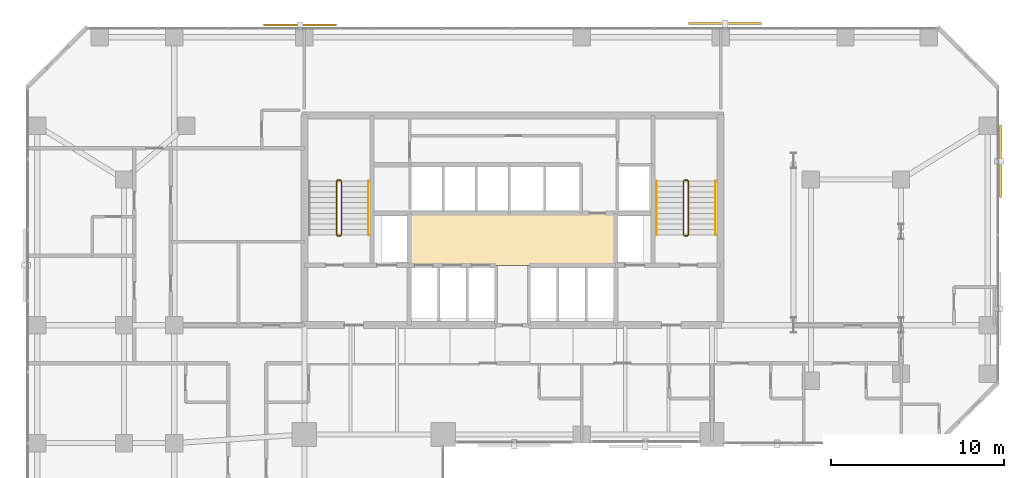
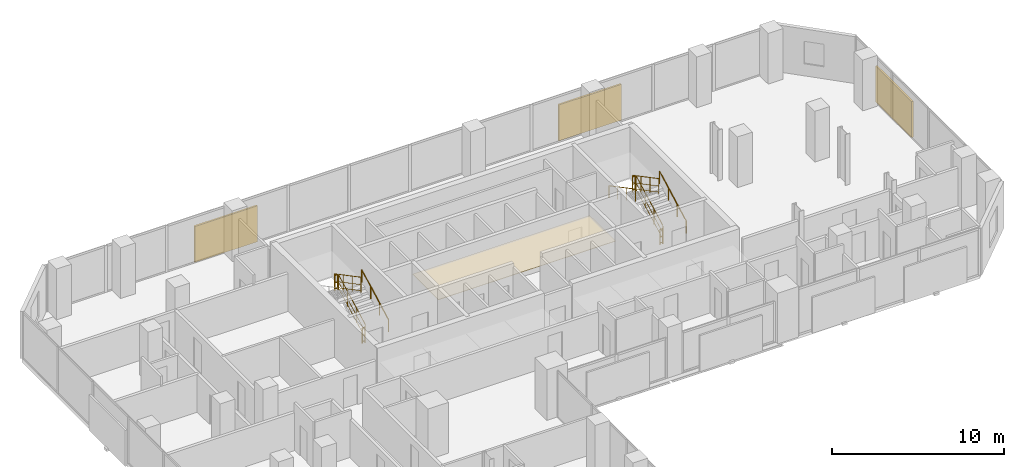
# One storey, part 32 of 32: 11 railings, 3 shading devices, 1 covering.
"""IFC4 building model written with IfcOpenShell, lengths in metres."""

from ifc_helpers import new_model, si_unit, direction, frame, origin, origin_2d, place, context, subcontext, project, spatial, polyline, rectangle, circle, outline, extrude, material, layer, layer_set, type_object, element, save


model = new_model("IFC4")

# Units and contexts
model_context = context("Model", 3, precision=1e-05, world=origin(), true_north=direction((0.0, 1.0)))
body_context = subcontext(model_context, "Body", "Model", "MODEL_VIEW")
ifc_project = project(units=[si_unit("LENGTHUNIT", "METRE"), si_unit("AREAUNIT", "SQUARE_METRE"), si_unit("VOLUMEUNIT", "CUBIC_METRE"), si_unit("PLANEANGLEUNIT", "RADIAN"), si_unit("MASSUNIT", "GRAM", prefix="KILO")], contexts=[model_context])

# Site, building, storey
site_placement = place(None, origin())
site = spatial("IfcSite", under=ifc_project, at=site_placement, CompositionType="ELEMENT")
building_placement = place(site_placement, origin())
building = spatial("IfcBuilding", under=site, at=building_placement, Name="Catumbela Crestline Tower", CompositionType="ELEMENT")
storey_placement = place(building_placement, frame((0.0, 0.0, 33.0)))
storey = spatial("IfcBuildingStorey", under=building, at=storey_placement, Name="L07", CompositionType="ELEMENT", Elevation=33.0)

# Covering
ifc_material_1 = material(Name="Mineral-fibre acoustic ceiling")
ifc_layer = layer(ifc_material_1, 0.03, Name="Mineral-fibre acoustic ceiling")
ifc_layer_set = layer_set([ifc_layer], Name="Mineral-fibre acoustic ceiling")
covering_type = type_object("IfcCoveringType", Name="CC-AC", PredefinedType="CEILING", material=ifc_layer_set)
covering_placement = place(storey_placement, frame((0.0, 0.0, 2.65)))
element("IfcCovering", 1, at=covering_placement, inside=storey, type_object=covering_type, Name="L07 Lift Lobby Acoustic Ceiling", PredefinedType="CEILING", context=body_context, shape_type="SweptSolid", body=[
    extrude(outline(polyline([(22.05, 34.25), (33.95, 34.25), (33.95, 37.25), (22.05, 37.25), (22.05, 34.25)])), origin(), (0.0, 0.0, 1.0), 0.03),
])

# Railings
ifc_material_2 = material(Name="Stainless steel EN 1.4401", Category="steel")
railing_type_1 = type_object("IfcRailingType", Name="RG-1100", PredefinedType="GUARDRAIL", material=ifc_material_2)
railing_1_placement = place(storey_placement, frame((18.14, 36.0, 0.1636)))
element("IfcRailing", 2, at=railing_1_placement, inside=storey, type_object=railing_type_1, Name="L07 ST-01 stair guard 1", PredefinedType="GUARDRAIL", context=body_context, shape_type="SweptSolid", body=[
    extrude(circle(Radius=0.024, at=origin_2d()), frame((0.0, 0.0, 1.076), z_axis=(0.0, 0.884350731049, 0.466823076222), x_axis=(-1.0, 0.0, 0.0)), (0.0, 0.0, 1.0), 3.5054),
    extrude(circle(Radius=0.0156, at=origin_2d()), frame((0.0, 0.0, 0.55), z_axis=(0.0, 0.884350731049, 0.466823076222), x_axis=(-1.0, 0.0, 0.0)), (0.0, 0.0, 1.0), 3.5054),
    extrude(circle(Radius=0.0156, at=origin_2d()), frame((0.0, 0.0, 0.12), z_axis=(0.0, 0.884350731049, 0.466823076222), x_axis=(-1.0, 0.0, 0.0)), (0.0, 0.0, 1.0), 3.5054),
    extrude(circle(Radius=0.021, at=origin_2d()), origin(), (0.0, 0.0, 1.0), 1.052),
    extrude(circle(Radius=0.021, at=origin_2d()), frame((0.0, 1.0333, 0.5455)), (0.0, 0.0, 1.0), 1.052),
    extrude(circle(Radius=0.021, at=origin_2d()), frame((0.0, 2.0667, 1.0909)), (0.0, 0.0, 1.0), 1.052),
    extrude(circle(Radius=0.021, at=origin_2d()), frame((0.0, 3.1, 1.6364)), (0.0, 0.0, 1.0), 1.052),
])
railing_2_placement = place(storey_placement, frame((18.09, 39.15, 1.8)))
element("IfcRailing", 3, at=railing_2_placement, inside=storey, type_object=railing_type_1, Name="L07 ST-01 stair guard 2", PredefinedType="GUARDRAIL", context=body_context, shape_type="SweptSolid", body=[
    extrude(circle(Radius=0.024, at=origin_2d()), frame((0.0, 0.0, 1.076), z_axis=(-1.0, 0.0, 0.0), x_axis=(0.0, -1.0, 0.0)), (0.0, 0.0, 1.0), 0.18),
    extrude(circle(Radius=0.0156, at=origin_2d()), frame((0.0, 0.0, 0.55), z_axis=(-1.0, 0.0, 0.0), x_axis=(0.0, -1.0, 0.0)), (0.0, 0.0, 1.0), 0.18),
    extrude(circle(Radius=0.0156, at=origin_2d()), frame((0.0, 0.0, 0.12), z_axis=(-1.0, 0.0, 0.0), x_axis=(0.0, -1.0, 0.0)), (0.0, 0.0, 1.0), 0.18),
    extrude(circle(Radius=0.021, at=origin_2d()), origin(), (0.0, 0.0, 1.0), 1.052),
    extrude(circle(Radius=0.021, at=origin_2d()), frame((-0.18, 0.0, 0.0)), (0.0, 0.0, 1.0), 1.052),
])
railing_3_placement = place(storey_placement, frame((17.86, 39.1, 1.9636)))
element("IfcRailing", 4, at=railing_3_placement, inside=storey, type_object=railing_type_1, Name="L07 ST-01 stair guard 3", PredefinedType="GUARDRAIL", context=body_context, shape_type="SweptSolid", body=[
    extrude(circle(Radius=0.024, at=origin_2d()), frame((0.0, 0.0, 1.076), z_axis=(0.0, -0.884350731049, 0.466823076222), x_axis=(1.0, 0.0, 0.0)), (0.0, 0.0, 1.0), 3.5054),
    extrude(circle(Radius=0.0156, at=origin_2d()), frame((0.0, 0.0, 0.55), z_axis=(0.0, -0.884350731049, 0.466823076222), x_axis=(1.0, 0.0, 0.0)), (0.0, 0.0, 1.0), 3.5054),
    extrude(circle(Radius=0.0156, at=origin_2d()), frame((0.0, 0.0, 0.12), z_axis=(0.0, -0.884350731049, 0.466823076222), x_axis=(1.0, 0.0, 0.0)), (0.0, 0.0, 1.0), 3.5054),
    extrude(circle(Radius=0.021, at=origin_2d()), origin(), (0.0, 0.0, 1.0), 1.052),
    extrude(circle(Radius=0.021, at=origin_2d()), frame((0.0, -1.0333, 0.5455)), (0.0, 0.0, 1.0), 1.052),
    extrude(circle(Radius=0.021, at=origin_2d()), frame((0.0, -2.0667, 1.0909)), (0.0, 0.0, 1.0), 1.052),
    extrude(circle(Radius=0.021, at=origin_2d()), frame((0.0, -3.1, 1.6364)), (0.0, 0.0, 1.0), 1.052),
])
railing_4_placement = place(storey_placement, frame((18.09, 35.95, 0.0)))
element("IfcRailing", 5, at=railing_4_placement, inside=storey, type_object=railing_type_1, Name="L07 ST-01 stair guard 4", PredefinedType="GUARDRAIL", context=body_context, shape_type="SweptSolid", body=[
    extrude(circle(Radius=0.024, at=origin_2d()), frame((0.0, 0.0, 1.076), z_axis=(-1.0, 0.0, 0.0), x_axis=(0.0, -1.0, 0.0)), (0.0, 0.0, 1.0), 0.18),
    extrude(circle(Radius=0.0156, at=origin_2d()), frame((0.0, 0.0, 0.55), z_axis=(-1.0, 0.0, 0.0), x_axis=(0.0, -1.0, 0.0)), (0.0, 0.0, 1.0), 0.18),
    extrude(circle(Radius=0.0156, at=origin_2d()), frame((0.0, 0.0, 0.12), z_axis=(-1.0, 0.0, 0.0), x_axis=(0.0, -1.0, 0.0)), (0.0, 0.0, 1.0), 0.18),
    extrude(circle(Radius=0.021, at=origin_2d()), origin(), (0.0, 0.0, 1.0), 1.052),
    extrude(circle(Radius=0.021, at=origin_2d()), frame((-0.18, 0.0, 0.0)), (0.0, 0.0, 1.0), 1.052),
])
railing_5_placement = place(storey_placement, frame((38.14, 36.0, 0.1636)))
element("IfcRailing", 6, at=railing_5_placement, inside=storey, type_object=railing_type_1, Name="L07 ST-02 stair guard 1", PredefinedType="GUARDRAIL", context=body_context, shape_type="SweptSolid", body=[
    extrude(circle(Radius=0.024, at=origin_2d()), frame((0.0, 0.0, 1.076), z_axis=(0.0, 0.884350731049, 0.466823076222), x_axis=(-1.0, 0.0, 0.0)), (0.0, 0.0, 1.0), 3.5054),
    extrude(circle(Radius=0.0156, at=origin_2d()), frame((0.0, 0.0, 0.55), z_axis=(0.0, 0.884350731049, 0.466823076222), x_axis=(-1.0, 0.0, 0.0)), (0.0, 0.0, 1.0), 3.5054),
    extrude(circle(Radius=0.0156, at=origin_2d()), frame((0.0, 0.0, 0.12), z_axis=(0.0, 0.884350731049, 0.466823076222), x_axis=(-1.0, 0.0, 0.0)), (0.0, 0.0, 1.0), 3.5054),
    extrude(circle(Radius=0.021, at=origin_2d()), origin(), (0.0, 0.0, 1.0), 1.052),
    extrude(circle(Radius=0.021, at=origin_2d()), frame((0.0, 1.0333, 0.5455)), (0.0, 0.0, 1.0), 1.052),
    extrude(circle(Radius=0.021, at=origin_2d()), frame((0.0, 2.0667, 1.0909)), (0.0, 0.0, 1.0), 1.052),
    extrude(circle(Radius=0.021, at=origin_2d()), frame((0.0, 3.1, 1.6364)), (0.0, 0.0, 1.0), 1.052),
])
railing_6_placement = place(storey_placement, frame((38.09, 39.15, 1.8)))
element("IfcRailing", 7, at=railing_6_placement, inside=storey, type_object=railing_type_1, Name="L07 ST-02 stair guard 2", PredefinedType="GUARDRAIL", context=body_context, shape_type="SweptSolid", body=[
    extrude(circle(Radius=0.024, at=origin_2d()), frame((0.0, 0.0, 1.076), z_axis=(-1.0, 0.0, 0.0), x_axis=(0.0, -1.0, 0.0)), (0.0, 0.0, 1.0), 0.18),
    extrude(circle(Radius=0.0156, at=origin_2d()), frame((0.0, 0.0, 0.55), z_axis=(-1.0, 0.0, 0.0), x_axis=(0.0, -1.0, 0.0)), (0.0, 0.0, 1.0), 0.18),
    extrude(circle(Radius=0.0156, at=origin_2d()), frame((0.0, 0.0, 0.12), z_axis=(-1.0, 0.0, 0.0), x_axis=(0.0, -1.0, 0.0)), (0.0, 0.0, 1.0), 0.18),
    extrude(circle(Radius=0.021, at=origin_2d()), origin(), (0.0, 0.0, 1.0), 1.052),
    extrude(circle(Radius=0.021, at=origin_2d()), frame((-0.18, 0.0, 0.0)), (0.0, 0.0, 1.0), 1.052),
])
railing_7_placement = place(storey_placement, frame((37.86, 39.1, 1.9636)))
element("IfcRailing", 8, at=railing_7_placement, inside=storey, type_object=railing_type_1, Name="L07 ST-02 stair guard 3", PredefinedType="GUARDRAIL", context=body_context, shape_type="SweptSolid", body=[
    extrude(circle(Radius=0.024, at=origin_2d()), frame((0.0, 0.0, 1.076), z_axis=(0.0, -0.884350731049, 0.466823076222), x_axis=(1.0, 0.0, 0.0)), (0.0, 0.0, 1.0), 3.5054),
    extrude(circle(Radius=0.0156, at=origin_2d()), frame((0.0, 0.0, 0.55), z_axis=(0.0, -0.884350731049, 0.466823076222), x_axis=(1.0, 0.0, 0.0)), (0.0, 0.0, 1.0), 3.5054),
    extrude(circle(Radius=0.0156, at=origin_2d()), frame((0.0, 0.0, 0.12), z_axis=(0.0, -0.884350731049, 0.466823076222), x_axis=(1.0, 0.0, 0.0)), (0.0, 0.0, 1.0), 3.5054),
    extrude(circle(Radius=0.021, at=origin_2d()), origin(), (0.0, 0.0, 1.0), 1.052),
    extrude(circle(Radius=0.021, at=origin_2d()), frame((0.0, -1.0333, 0.5455)), (0.0, 0.0, 1.0), 1.052),
    extrude(circle(Radius=0.021, at=origin_2d()), frame((0.0, -2.0667, 1.0909)), (0.0, 0.0, 1.0), 1.052),
    extrude(circle(Radius=0.021, at=origin_2d()), frame((0.0, -3.1, 1.6364)), (0.0, 0.0, 1.0), 1.052),
])
railing_8_placement = place(storey_placement, frame((38.09, 35.95, 0.0)))
element("IfcRailing", 9, at=railing_8_placement, inside=storey, type_object=railing_type_1, Name="L07 ST-02 stair guard 4", PredefinedType="GUARDRAIL", context=body_context, shape_type="SweptSolid", body=[
    extrude(circle(Radius=0.024, at=origin_2d()), frame((0.0, 0.0, 1.076), z_axis=(-1.0, 0.0, 0.0), x_axis=(0.0, -1.0, 0.0)), (0.0, 0.0, 1.0), 0.18),
    extrude(circle(Radius=0.0156, at=origin_2d()), frame((0.0, 0.0, 0.55), z_axis=(-1.0, 0.0, 0.0), x_axis=(0.0, -1.0, 0.0)), (0.0, 0.0, 1.0), 0.18),
    extrude(circle(Radius=0.0156, at=origin_2d()), frame((0.0, 0.0, 0.12), z_axis=(-1.0, 0.0, 0.0), x_axis=(0.0, -1.0, 0.0)), (0.0, 0.0, 1.0), 0.18),
    extrude(circle(Radius=0.021, at=origin_2d()), origin(), (0.0, 0.0, 1.0), 1.052),
    extrude(circle(Radius=0.021, at=origin_2d()), frame((-0.18, 0.0, 0.0)), (0.0, 0.0, 1.0), 1.052),
])
railing_type_2 = type_object("IfcRailingType", Name="RH-0900", PredefinedType="HANDRAIL", material=ifc_material_2)
for number, where, name in (
    (10, (19.7, 36.0, 0.1636), "L07 ST-01 stair handrail 1"),
    (11, (39.7, 36.0, 0.1636), "L07 ST-02 stair handrail 1"),
):
    element("IfcRailing", number, at=place(storey_placement, frame(where)), inside=storey, type_object=railing_type_2, Name=name, PredefinedType="HANDRAIL", context=body_context, shape_type="SweptSolid", body=[
        extrude(circle(Radius=0.024, at=origin_2d()), frame((0.0, 0.0, 0.876), z_axis=(0.0, 0.884350731049, 0.466823076222), x_axis=(-1.0, 0.0, 0.0)), (0.0, 0.0, 1.0), 3.5054),
        extrude(circle(Radius=0.021, at=origin_2d()), origin(), (0.0, 0.0, 1.0), 0.852),
        extrude(circle(Radius=0.021, at=origin_2d()), frame((0.0, 1.0333, 0.5455)), (0.0, 0.0, 1.0), 0.852),
        extrude(circle(Radius=0.021, at=origin_2d()), frame((0.0, 2.0667, 1.0909)), (0.0, 0.0, 1.0), 0.852),
        extrude(circle(Radius=0.021, at=origin_2d()), frame((0.0, 3.1, 1.6364)), (0.0, 0.0, 1.0), 0.852),
    ])
railing_9_placement = place(storey_placement, frame((36.3, 39.1, 1.9636)))
element("IfcRailing", 12, at=railing_9_placement, inside=storey, type_object=railing_type_2, Name="L07 ST-02 stair handrail 2", PredefinedType="HANDRAIL", context=body_context, shape_type="SweptSolid", body=[
    extrude(circle(Radius=0.024, at=origin_2d()), frame((0.0, 0.0, 0.876), z_axis=(0.0, -0.884350731049, 0.466823076222), x_axis=(1.0, 0.0, 0.0)), (0.0, 0.0, 1.0), 3.5054),
    extrude(circle(Radius=0.021, at=origin_2d()), origin(), (0.0, 0.0, 1.0), 0.852),
    extrude(circle(Radius=0.021, at=origin_2d()), frame((0.0, -1.0333, 0.5455)), (0.0, 0.0, 1.0), 0.852),
    extrude(circle(Radius=0.021, at=origin_2d()), frame((0.0, -2.0667, 1.0909)), (0.0, 0.0, 1.0), 0.852),
    extrude(circle(Radius=0.021, at=origin_2d()), frame((0.0, -3.1, 1.6364)), (0.0, 0.0, 1.0), 0.852),
])

# Shading devices
ifc_material_3 = material(Name="Extruded terracotta ceramic", Category="masonry")
shading_device_type_1 = type_object("IfcShadingDeviceType", Name="ST-180", PredefinedType="USERDEFINED", material=ifc_material_3)
shading_device_1_placement = place(storey_placement, frame((15.75, 48.099, -0.1), z_axis=(0.0, 0.0, 1.0), x_axis=(-1.0, 0.0, 0.0)))
element("IfcShadingDevice", 13, at=shading_device_1_placement, inside=storey, type_object=shading_device_type_1, Name="L07 Perforated Terracotta Solar Screen 40 (180 mm)", ObjectType="SCREEN", PredefinedType="USERDEFINED", context=body_context, shape_type="SweptSolid", body=[
    extrude(rectangle(XDim=4.2, YDim=0.12, at=origin_2d()), origin(), (0.0, 0.0, 1.0), 2.55),
])
shading_device_type_2 = type_object("IfcShadingDeviceType", Name="ST-260", PredefinedType="USERDEFINED", material=ifc_material_3)
shading_device_2_placement = place(storey_placement, frame((56.143, 40.25, -0.1), z_axis=(0.0, 0.0, 1.0), x_axis=(0.0, 1.0, 0.0)))
element("IfcShadingDevice", 14, at=shading_device_2_placement, inside=storey, type_object=shading_device_type_2, Name="L07 Perforated Terracotta Solar Screen 38 (260 mm)", ObjectType="SCREEN", PredefinedType="USERDEFINED", context=body_context, shape_type="SweptSolid", body=[
    extrude(rectangle(XDim=4.2, YDim=0.12, at=origin_2d()), origin(), (0.0, 0.0, 1.0), 2.55),
])
shading_device_type_3 = type_object("IfcShadingDeviceType", Name="ST-340", PredefinedType="USERDEFINED", material=ifc_material_3)
shading_device_3_placement = place(storey_placement, frame((40.25, 48.187, -0.1), z_axis=(0.0, 0.0, 1.0), x_axis=(-1.0, 0.0, 0.0)))
element("IfcShadingDevice", 15, at=shading_device_3_placement, inside=storey, type_object=shading_device_type_3, Name="L07 Perforated Terracotta Solar Screen 39 (340 mm)", ObjectType="SCREEN", PredefinedType="USERDEFINED", context=body_context, shape_type="SweptSolid", body=[
    extrude(rectangle(XDim=4.2, YDim=0.12, at=origin_2d()), origin(), (0.0, 0.0, 1.0), 2.55),
])

save(model, "model.ifc")
